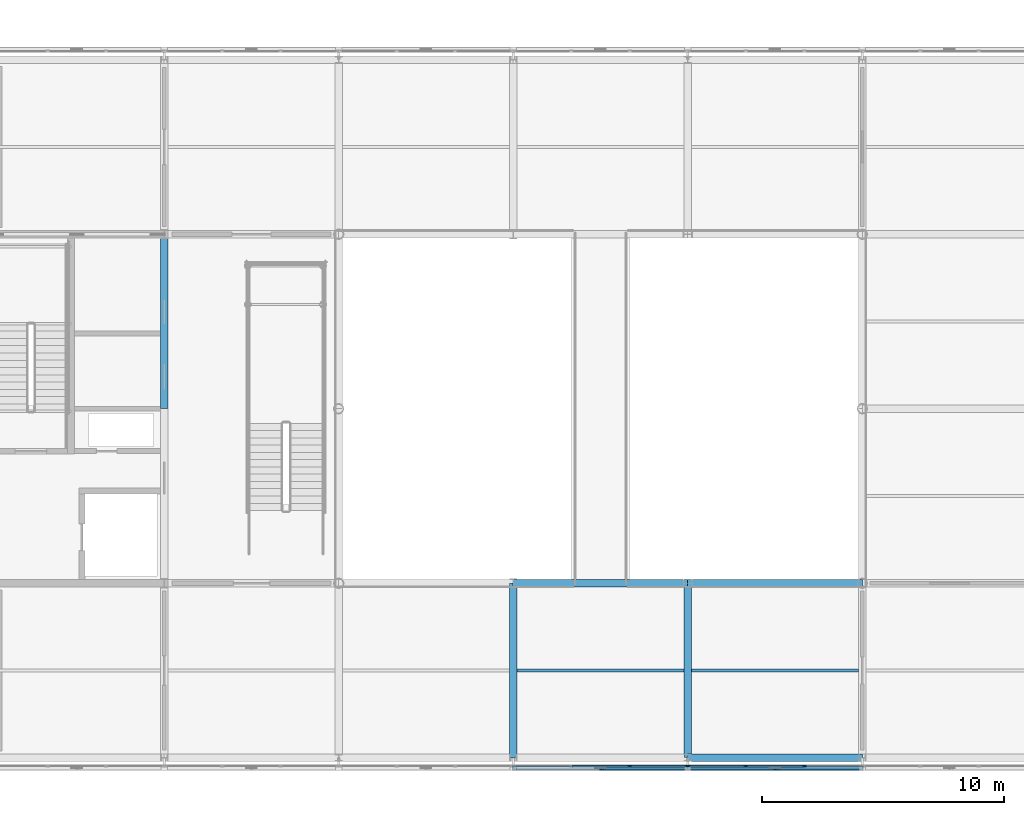
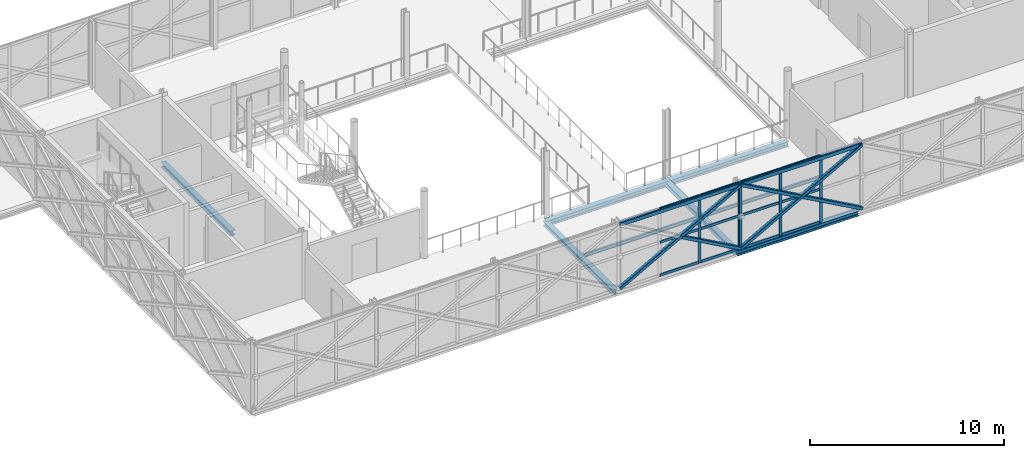
# One storey, part 37 of 103: 24 members, 8 beams, 2 elements without a shape of their own.
"""IFC4 building model written with IfcOpenShell, lengths in metres."""

from ifc_helpers import new_model, si_unit, direction, frame, origin, origin_2d, place, context, subcontext, project, spatial, rectangle, hollow_rectangle, i_section, extrude, material, material_profile, profile_set, type_object, element, aggregate, save


model = new_model("IFC4")

# Units and contexts
model_context = context("Model", 3, precision=1e-05, world=origin(), true_north=direction((0.0, 1.0)))
body_context = subcontext(model_context, "Body", "Model", "MODEL_VIEW")
ifc_project = project(units=[si_unit("LENGTHUNIT", "METRE"), si_unit("AREAUNIT", "SQUARE_METRE"), si_unit("VOLUMEUNIT", "CUBIC_METRE"), si_unit("PLANEANGLEUNIT", "RADIAN"), si_unit("MASSUNIT", "GRAM", prefix="KILO")], contexts=[model_context])

# Site, building, storey
site_placement = place(None, origin())
site = spatial("IfcSite", under=ifc_project, at=site_placement, CompositionType="ELEMENT")
building_placement = place(site_placement, origin())
building = spatial("IfcBuilding", under=site, at=building_placement, Name="Zlatovets Crest Museum", CompositionType="ELEMENT")
storey_placement = place(building_placement, frame((0.0, 0.0, 12.89990234375)))
storey = spatial("IfcBuildingStorey", under=building, at=storey_placement, Name="L03", CompositionType="ELEMENT", Elevation=12.89990234375)

# Beams
ifc_material_1 = material(Name="Structural steel S355J2", Category="steel")
ifc_material_profile_1 = material_profile(ifc_material_1, i_section(OverallWidth=0.300048828125, OverallDepth=0.31005859375, WebThickness=0.009033203125, FlangeThickness=0.015380859375, FilletRadius=0.027099609375, at=origin_2d()), Name="HEA 320")
ifc_profile_set_1 = profile_set([ifc_material_profile_1], Name="Structural steel S355J2")
beam_type_1 = type_object("IfcBeamType", Name="Beam_B-04", PredefinedType="BEAM", material=ifc_profile_set_1)
beam_1_placement = place(storey_placement, frame((64.800048828125, 14.39990234375, -0.39501953125), z_axis=(0.0, 1.0, 0.0), x_axis=(-1.0, 0.0, 0.0)))
element("IfcBeam", 1, at=beam_1_placement, inside=storey, type_object=beam_type_1, Name="V2 L03 Grid Beam B-04", PredefinedType="BEAM", context=body_context, shape_type="SweptSolid", body=[
    extrude(i_section(OverallWidth=0.300048828125, OverallDepth=0.31005859375, WebThickness=0.009033203125, FlangeThickness=0.015380859375, FilletRadius=0.027099609375, at=origin_2d()), origin(), (0.0, 0.0, 1.0), 7.2001953125),
])
for number, where, z_axis, x_axis, name in (
    (2, (79.199951171875, 0.0, -0.39501953125), (0.0, 1.0, 0.0), (-1.0, 0.0, 0.0), "V2 L03 Grid Beam B-04"),
    (3, (86.39990234375, 0.0, -0.39501953125), (0.0, 1.0, 0.0), (-1.0, 0.0, 0.0), "V2 L03 Grid Beam B-04"),
):
    element("IfcBeam", number, at=place(storey_placement, frame(where, z_axis=z_axis, x_axis=x_axis)), inside=storey, type_object=beam_type_1, Name=name, PredefinedType="BEAM", context=body_context, shape_type="SweptSolid", body=[
        extrude(i_section(OverallWidth=0.300048828125, OverallDepth=0.31005859375, WebThickness=0.009033203125, FlangeThickness=0.015380859375, FilletRadius=0.027099609375, at=origin_2d()), origin(), (0.0, 0.0, 1.0), 7.199951171875),
    ])
ifc_material_profile_2 = material_profile(ifc_material_1, i_section(OverallWidth=0.300048828125, OverallDepth=0.330078125, WebThickness=0.009521484375, FlangeThickness=0.0166015625, FilletRadius=0.027099609375, at=origin_2d()), Name="HEA 340")
ifc_profile_set_2 = profile_set([ifc_material_profile_2], Name="Structural steel S355J2")
beam_type_2 = type_object("IfcBeamType", Name="Beam_B-11", PredefinedType="BEAM", material=ifc_profile_set_2)
beam_2_placement = place(storey_placement, frame((86.39990234375, 0.0, -0.40478515625), z_axis=(1.0, 0.0, 0.0), x_axis=(0.0, 1.0, 0.0)))
element("IfcBeam", 4, at=beam_2_placement, inside=storey, type_object=beam_type_2, Name="V2 L03 Primary Girder B-11", PredefinedType="BEAM", context=body_context, shape_type="SweptSolid", body=[
    extrude(i_section(OverallWidth=0.300048828125, OverallDepth=0.330078125, WebThickness=0.009521484375, FlangeThickness=0.0166015625, FilletRadius=0.027099609375, at=origin_2d()), origin(), (0.0, 0.0, 1.0), 7.2001953125),
])
beam_3_placement = place(storey_placement, frame((79.199951171875, 7.199951171875, -0.40478515625), z_axis=(1.0, 0.0, 0.0), x_axis=(0.0, 1.0, 0.0)))
element("IfcBeam", 5, at=beam_3_placement, inside=storey, type_object=beam_type_2, Name="V2 L03 Primary Girder B-11", PredefinedType="BEAM", context=body_context, shape_type="SweptSolid", body=[
    extrude(i_section(OverallWidth=0.300048828125, OverallDepth=0.330078125, WebThickness=0.009521484375, FlangeThickness=0.0166015625, FilletRadius=0.027099609375, at=origin_2d()), origin(), (0.0, 0.0, 1.0), 7.199951171875),
])
beam_4_placement = place(storey_placement, frame((86.39990234375, 7.199951171875, -0.40478515625), z_axis=(1.0, 0.0, 0.0), x_axis=(0.0, 1.0, 0.0)))
element("IfcBeam", 6, at=beam_4_placement, inside=storey, type_object=beam_type_2, Name="V2 L03 Primary Girder B-11", PredefinedType="BEAM", context=body_context, shape_type="SweptSolid", body=[
    extrude(i_section(OverallWidth=0.300048828125, OverallDepth=0.330078125, WebThickness=0.009521484375, FlangeThickness=0.0166015625, FilletRadius=0.027099609375, at=origin_2d()), origin(), (0.0, 0.0, 1.0), 7.2001953125),
])
ifc_material_profile_3 = material_profile(ifc_material_1, i_section(OverallWidth=0.110107421875, OverallDepth=0.219970703125, WebThickness=0.005859375, FlangeThickness=0.00927734375, FilletRadius=0.011962890625, at=origin_2d()), Name="IPE 220")
ifc_profile_set_3 = profile_set([ifc_material_profile_3], Name="Structural steel S355J2")
beam_type_3 = type_object("IfcBeamType", Name="Beam_J-10", PredefinedType="JOIST", material=ifc_profile_set_3)
for number, where, z_axis, x_axis, name in (
    (7, (79.35009765625, 3.60009765625, -0.349853515625), (1.0, 0.0, 0.0), (0.0, 1.0, 0.0), "V2 L03 Composite Joist J-10"),
    (8, (86.550048828125, 3.60009765625, -0.349853515625), (1.0, 0.0, 0.0), (0.0, 1.0, 0.0), "V2 L03 Composite Joist J-10"),
):
    element("IfcBeam", number, at=place(storey_placement, frame(where, z_axis=z_axis, x_axis=x_axis)), inside=storey, type_object=beam_type_3, Name=name, PredefinedType="JOIST", context=body_context, shape_type="SweptSolid", body=[
        extrude(i_section(OverallWidth=0.110107421875, OverallDepth=0.219970703125, WebThickness=0.005859375, FlangeThickness=0.00927734375, FilletRadius=0.011962890625, at=origin_2d()), origin(), (0.0, 0.0, 1.0), 6.89990234375),
    ])

# Curtain wall, members
ifc_material_2 = material(Name="Bronze-anodised aluminium and low-E triple glass", Category="aluminium")
curtain_wall_type_1 = type_object("IfcCurtainWallType", Name="CW_CW-V2-L03-M3", PredefinedType="NOTDEFINED", material=ifc_material_2)
curtain_wall_1_placement = place(storey_placement, origin())
curtain_wall_1 = element("IfcCurtainWall", 9, at=curtain_wall_1_placement, inside=storey, type_object=curtain_wall_type_1, Name="V2 L03 Secession Foyer Clear Curtain Wall", PredefinedType="NOTDEFINED")
ifc_material_3 = material(Name="Bronze-anodised aluminium EN AW-6060", Category="aluminium")
ifc_material_profile_4 = material_profile(ifc_material_3, rectangle(XDim=0.080078125, YDim=0.159912109375, at=origin_2d()), Name="ALU 80x160")
ifc_profile_set_4 = profile_set([ifc_material_profile_4], Name="Bronze-anodised aluminium EN AW-6060")
member_type_1 = type_object("IfcMemberType", Name="CWMull_M1", PredefinedType="MULLION", material=ifc_profile_set_4)
member_1_placement = place(storey_placement, frame((84.0, -0.340087890625, 0.0), z_axis=(0.0, 0.0, 1.0), x_axis=(0.0, 1.0, 0.0)))
member_1 = element("IfcMember", 10, at=member_1_placement, type_object=member_type_1, Name="CW-V2-L03-M3 mullion 3", PredefinedType="MULLION", context=body_context, shape_type="SweptSolid", body=[
    extrude(rectangle(XDim=0.080078125, YDim=0.159912109375, at=origin_2d()), origin(), (0.0, 0.0, 1.0), 4.2001953125),
])
member_2_placement = place(storey_placement, frame((86.3701171875, -0.340087890625, 0.0), z_axis=(0.0, 0.0, 1.0), x_axis=(0.0, 1.0, 0.0)))
member_2 = element("IfcMember", 11, at=member_2_placement, type_object=member_type_1, Name="CW-V2-L03-M3 mullion 4", PredefinedType="MULLION", context=body_context, shape_type="SweptSolid", body=[
    extrude(rectangle(XDim=0.080078125, YDim=0.159912109375, at=origin_2d()), origin(), (0.0, 0.0, 1.0), 4.2001953125),
])

curtain_wall_type_2 = type_object("IfcCurtainWallType", Name="CW_CW-V2-L03-M0", PredefinedType="NOTDEFINED", material=ifc_material_2)
curtain_wall_2_placement = place(storey_placement, origin())
curtain_wall_2 = element("IfcCurtainWall", 12, at=curtain_wall_2_placement, inside=storey, type_object=curtain_wall_type_2, Name="V2 L03 Secession Foyer Clear Curtain Wall", PredefinedType="NOTDEFINED")
member_3_placement = place(storey_placement, frame((86.429931640625, -0.340087890625, 0.0), z_axis=(0.0, 0.0, 1.0), x_axis=(0.0, 1.0, 0.0)))
member_3 = element("IfcMember", 13, at=member_3_placement, type_object=member_type_1, Name="CW-V2-L03-M0 mullion 1", PredefinedType="MULLION", context=body_context, shape_type="SweptSolid", body=[
    extrude(rectangle(XDim=0.080078125, YDim=0.159912109375, at=origin_2d()), origin(), (0.0, 0.0, 1.0), 4.2001953125),
])
member_4_placement = place(storey_placement, frame((88.800048828125, -0.340087890625, 0.0), z_axis=(0.0, 0.0, 1.0), x_axis=(0.0, 1.0, 0.0)))
member_4 = element("IfcMember", 14, at=member_4_placement, type_object=member_type_1, Name="CW-V2-L03-M0 mullion 2", PredefinedType="MULLION", context=body_context, shape_type="SweptSolid", body=[
    extrude(rectangle(XDim=0.080078125, YDim=0.159912109375, at=origin_2d()), origin(), (0.0, 0.0, 1.0), 4.2001953125),
])
member_5_placement = place(storey_placement, frame((91.199951171875, -0.340087890625, 0.0), z_axis=(0.0, 0.0, 1.0), x_axis=(0.0, 1.0, 0.0)))
member_5 = element("IfcMember", 15, at=member_5_placement, type_object=member_type_1, Name="CW-V2-L03-M0 mullion 3", PredefinedType="MULLION", context=body_context, shape_type="SweptSolid", body=[
    extrude(rectangle(XDim=0.080078125, YDim=0.159912109375, at=origin_2d()), origin(), (0.0, 0.0, 1.0), 4.2001953125),
])

# Member
ifc_material_profile_5 = material_profile(ifc_material_3, rectangle(XDim=0.080078125, YDim=0.159912109375, at=origin_2d()), Name="ALU 80x160")
ifc_profile_set_5 = profile_set([ifc_material_profile_5], Name="Bronze-anodised aluminium EN AW-6060")
member_type_2 = type_object("IfcMemberType", Name="CWTrans_T1", PredefinedType="USERDEFINED", material=ifc_profile_set_5)
member_6_placement = place(storey_placement, frame((81.6298828125, -0.340087890625, 0.030029296875), z_axis=(1.0, 0.0, 0.0), x_axis=(0.0, 1.0, 0.0)))
member_6 = element("IfcMember", 16, at=member_6_placement, type_object=member_type_2, Name="CW-V2-L03-M3 transom 2.1", ObjectType="TRANSOM", PredefinedType="USERDEFINED", context=body_context, shape_type="SweptSolid", body=[
    extrude(rectangle(XDim=0.080078125, YDim=0.159912109375, at=origin_2d()), origin(), (0.0, 0.0, 1.0), 2.340087890625),
])

member_7_placement = place(storey_placement, frame((81.6298828125, -0.340087890625, 2.10009765625), z_axis=(1.0, 0.0, 0.0), x_axis=(0.0, 1.0, 0.0)))
member_7 = element("IfcMember", 17, at=member_7_placement, type_object=member_type_2, Name="CW-V2-L03-M3 transom 2.2", ObjectType="TRANSOM", PredefinedType="USERDEFINED", context=body_context, shape_type="SweptSolid", body=[
    extrude(rectangle(XDim=0.080078125, YDim=0.159912109375, at=origin_2d()), origin(), (0.0, 0.0, 1.0), 2.340087890625),
])

member_8_placement = place(storey_placement, frame((81.6298828125, -0.340087890625, 4.170166015625), z_axis=(1.0, 0.0, 0.0), x_axis=(0.0, 1.0, 0.0)))
member_8 = element("IfcMember", 18, at=member_8_placement, type_object=member_type_2, Name="CW-V2-L03-M3 transom 2.3", ObjectType="TRANSOM", PredefinedType="USERDEFINED", context=body_context, shape_type="SweptSolid", body=[
    extrude(rectangle(XDim=0.080078125, YDim=0.159912109375, at=origin_2d()), origin(), (0.0, 0.0, 1.0), 2.340087890625),
])

member_9_placement = place(storey_placement, frame((84.030029296875, -0.340087890625, 0.030029296875), z_axis=(1.0, 0.0, 0.0), x_axis=(0.0, 1.0, 0.0)))
member_9 = element("IfcMember", 19, at=member_9_placement, type_object=member_type_2, Name="CW-V2-L03-M3 transom 3.1", ObjectType="TRANSOM", PredefinedType="USERDEFINED", context=body_context, shape_type="SweptSolid", body=[
    extrude(rectangle(XDim=0.080078125, YDim=0.159912109375, at=origin_2d()), origin(), (0.0, 0.0, 1.0), 2.31005859375),
])

member_10_placement = place(storey_placement, frame((84.030029296875, -0.340087890625, 2.10009765625), z_axis=(1.0, 0.0, 0.0), x_axis=(0.0, 1.0, 0.0)))
member_10 = element("IfcMember", 20, at=member_10_placement, type_object=member_type_2, Name="CW-V2-L03-M3 transom 3.2", ObjectType="TRANSOM", PredefinedType="USERDEFINED", context=body_context, shape_type="SweptSolid", body=[
    extrude(rectangle(XDim=0.080078125, YDim=0.159912109375, at=origin_2d()), origin(), (0.0, 0.0, 1.0), 2.31005859375),
])

member_11_placement = place(storey_placement, frame((84.030029296875, -0.340087890625, 4.170166015625), z_axis=(1.0, 0.0, 0.0), x_axis=(0.0, 1.0, 0.0)))
member_11 = element("IfcMember", 21, at=member_11_placement, type_object=member_type_2, Name="CW-V2-L03-M3 transom 3.3", ObjectType="TRANSOM", PredefinedType="USERDEFINED", context=body_context, shape_type="SweptSolid", body=[
    extrude(rectangle(XDim=0.080078125, YDim=0.159912109375, at=origin_2d()), origin(), (0.0, 0.0, 1.0), 2.31005859375),
])

aggregate(curtain_wall_1, [member_1, member_2, member_6, member_7, member_8, member_9, member_10, member_11])

member_12_placement = place(storey_placement, frame((86.4599609375, -0.340087890625, 0.030029296875), z_axis=(1.0, 0.0, 0.0), x_axis=(0.0, 1.0, 0.0)))
member_12 = element("IfcMember", 22, at=member_12_placement, type_object=member_type_2, Name="CW-V2-L03-M0 transom 1.1", ObjectType="TRANSOM", PredefinedType="USERDEFINED", context=body_context, shape_type="SweptSolid", body=[
    extrude(rectangle(XDim=0.080078125, YDim=0.159912109375, at=origin_2d()), origin(), (0.0, 0.0, 1.0), 2.31005859375),
])

member_13_placement = place(storey_placement, frame((86.4599609375, -0.340087890625, 2.10009765625), z_axis=(1.0, 0.0, 0.0), x_axis=(0.0, 1.0, 0.0)))
member_13 = element("IfcMember", 23, at=member_13_placement, type_object=member_type_2, Name="CW-V2-L03-M0 transom 1.2", ObjectType="TRANSOM", PredefinedType="USERDEFINED", context=body_context, shape_type="SweptSolid", body=[
    extrude(rectangle(XDim=0.080078125, YDim=0.159912109375, at=origin_2d()), origin(), (0.0, 0.0, 1.0), 2.31005859375),
])

member_14_placement = place(storey_placement, frame((86.4599609375, -0.340087890625, 4.170166015625), z_axis=(1.0, 0.0, 0.0), x_axis=(0.0, 1.0, 0.0)))
member_14 = element("IfcMember", 24, at=member_14_placement, type_object=member_type_2, Name="CW-V2-L03-M0 transom 1.3", ObjectType="TRANSOM", PredefinedType="USERDEFINED", context=body_context, shape_type="SweptSolid", body=[
    extrude(rectangle(XDim=0.080078125, YDim=0.159912109375, at=origin_2d()), origin(), (0.0, 0.0, 1.0), 2.31005859375),
])

member_15_placement = place(storey_placement, frame((88.830078125, -0.340087890625, 0.030029296875), z_axis=(1.0, 0.0, 0.0), x_axis=(0.0, 1.0, 0.0)))
member_15 = element("IfcMember", 25, at=member_15_placement, type_object=member_type_2, Name="CW-V2-L03-M0 transom 2.1", ObjectType="TRANSOM", PredefinedType="USERDEFINED", context=body_context, shape_type="SweptSolid", body=[
    extrude(rectangle(XDim=0.080078125, YDim=0.159912109375, at=origin_2d()), origin(), (0.0, 0.0, 1.0), 2.33984375),
])

member_16_placement = place(storey_placement, frame((88.830078125, -0.340087890625, 2.10009765625), z_axis=(1.0, 0.0, 0.0), x_axis=(0.0, 1.0, 0.0)))
member_16 = element("IfcMember", 26, at=member_16_placement, type_object=member_type_2, Name="CW-V2-L03-M0 transom 2.2", ObjectType="TRANSOM", PredefinedType="USERDEFINED", context=body_context, shape_type="SweptSolid", body=[
    extrude(rectangle(XDim=0.080078125, YDim=0.159912109375, at=origin_2d()), origin(), (0.0, 0.0, 1.0), 2.33984375),
])

member_17_placement = place(storey_placement, frame((88.830078125, -0.340087890625, 4.170166015625), z_axis=(1.0, 0.0, 0.0), x_axis=(0.0, 1.0, 0.0)))
member_17 = element("IfcMember", 27, at=member_17_placement, type_object=member_type_2, Name="CW-V2-L03-M0 transom 2.3", ObjectType="TRANSOM", PredefinedType="USERDEFINED", context=body_context, shape_type="SweptSolid", body=[
    extrude(rectangle(XDim=0.080078125, YDim=0.159912109375, at=origin_2d()), origin(), (0.0, 0.0, 1.0), 2.33984375),
])

aggregate(curtain_wall_2, [member_3, member_4, member_5, member_12, member_13, member_14, member_15, member_16, member_17])

# Members
ifc_material_4 = material(Name="Weathering bronze-steel S355J2W", Category="steel")
ifc_material_profile_6 = material_profile(ifc_material_4, hollow_rectangle(XDim=0.199951171875, YDim=0.199951171875, WallThickness=0.012451171875, InnerFilletRadius=0.012451171875, OuterFilletRadius=0.02490234375, at=origin_2d()), Name="SHS 200x200x12.5")
ifc_profile_set_6 = profile_set([ifc_material_profile_6], Name="Weathering bronze-steel S355J2W")
member_type_3 = type_object("IfcMemberType", Name="Lattice_XL-02", PredefinedType="BRACE", material=ifc_profile_set_6)
member_18_placement = place(storey_placement, frame((79.199951171875, -0.419921875, 0.10009765625), z_axis=(0.874155877937, 0.0, 0.485645447903), x_axis=(0.0, 1.0, 0.0)))
element("IfcMember", 28, at=member_18_placement, inside=storey, type_object=member_type_3, Name="Continuous Bronze Lattice Diagonal", PredefinedType="BRACE", context=body_context, shape_type="SweptSolid", body=[
    extrude(hollow_rectangle(XDim=0.199951171875, YDim=0.199951171875, WallThickness=0.012451171875, InnerFilletRadius=0.012451171875, OuterFilletRadius=0.02490234375, at=origin_2d()), origin(), (0.0, 0.0, 1.0), 8.236572265625),
])
member_19_placement = place(storey_placement, frame((82.883056640625, -0.419921875, 2.053955078125), z_axis=(0.874151551165, 0.0, -0.485653235958), x_axis=(0.0, 1.0, 0.0)))
element("IfcMember", 29, at=member_19_placement, inside=storey, type_object=member_type_3, Name="Split Crossing Bronze Lattice Diagonal Lower", PredefinedType="BRACE", context=body_context, shape_type="SweptSolid", body=[
    extrude(hollow_rectangle(XDim=0.199951171875, YDim=0.199951171875, WallThickness=0.012451171875, InnerFilletRadius=0.012451171875, OuterFilletRadius=0.02490234375, at=origin_2d()), origin(), (0.0, 0.0, 1.0), 4.023193359375),
])
member_20_placement = place(storey_placement, frame((86.39990234375, -0.419921875, 0.10009765625), z_axis=(0.874162868644, 0.0, 0.485632864501), x_axis=(0.0, 1.0, 0.0)))
element("IfcMember", 30, at=member_20_placement, inside=storey, type_object=member_type_3, Name="Continuous Bronze Lattice Diagonal", PredefinedType="BRACE", context=body_context, shape_type="SweptSolid", body=[
    extrude(hollow_rectangle(XDim=0.199951171875, YDim=0.199951171875, WallThickness=0.012451171875, InnerFilletRadius=0.012451171875, OuterFilletRadius=0.02490234375, at=origin_2d()), origin(), (0.0, 0.0, 1.0), 8.236572265625),
])
for number, where, z_axis, x_axis, name in (
    (31, (86.39990234375, -0.419921875, 4.10009765625), (0.874165862873, 0.0, -0.485627474703), (0.0, 1.0, 0.0), "Split Crossing Bronze Lattice Diagonal Upper"),
    (32, (90.0830078125, -0.419921875, 2.053955078125), (0.874165862873, 0.0, -0.485627474703), (0.0, 1.0, 0.0), "Split Crossing Bronze Lattice Diagonal Lower"),
):
    element("IfcMember", number, at=place(storey_placement, frame(where, z_axis=z_axis, x_axis=x_axis)), inside=storey, type_object=member_type_3, Name=name, PredefinedType="BRACE", context=body_context, shape_type="SweptSolid", body=[
        extrude(hollow_rectangle(XDim=0.199951171875, YDim=0.199951171875, WallThickness=0.012451171875, InnerFilletRadius=0.012451171875, OuterFilletRadius=0.02490234375, at=origin_2d()), origin(), (0.0, 0.0, 1.0), 4.0234375),
    ])
ifc_material_profile_7 = material_profile(ifc_material_4, hollow_rectangle(XDim=0.1201171875, YDim=0.239990234375, WallThickness=0.010009765625, InnerFilletRadius=0.010009765625, OuterFilletRadius=0.02001953125, at=origin_2d()), Name="RHS 120x240x10.0")
ifc_profile_set_7 = profile_set([ifc_material_profile_7], Name="Weathering bronze-steel S355J2W")
member_type_4 = type_object("IfcMemberType", Name="Lattice_XL-04", PredefinedType="CHORD", material=ifc_profile_set_7)
member_21_placement = place(storey_placement, frame((79.199951171875, -0.419921875, 4.10009765625), z_axis=(1.0, 0.0, 0.0), x_axis=(0.0, 1.0, 0.0)))
element("IfcMember", 33, at=member_21_placement, inside=storey, type_object=member_type_4, Name="Art Nouveau Woven Cage Collector Ring Chord", PredefinedType="CHORD", context=body_context, shape_type="SweptSolid", body=[
    extrude(hollow_rectangle(XDim=0.1201171875, YDim=0.239990234375, WallThickness=0.010009765625, InnerFilletRadius=0.010009765625, OuterFilletRadius=0.02001953125, at=origin_2d()), origin(), (0.0, 0.0, 1.0), 7.199951171875),
])
member_22_placement = place(storey_placement, frame((86.39990234375, -0.419921875, 4.10009765625), z_axis=(1.0, 0.0, 0.0), x_axis=(0.0, 1.0, 0.0)))
element("IfcMember", 34, at=member_22_placement, inside=storey, type_object=member_type_4, Name="Art Nouveau Woven Cage Collector Ring Chord", PredefinedType="CHORD", context=body_context, shape_type="SweptSolid", body=[
    extrude(hollow_rectangle(XDim=0.1201171875, YDim=0.239990234375, WallThickness=0.010009765625, InnerFilletRadius=0.010009765625, OuterFilletRadius=0.02001953125, at=origin_2d()), origin(), (0.0, 0.0, 1.0), 7.2001953125),
])

save(model, "model.ifc")
